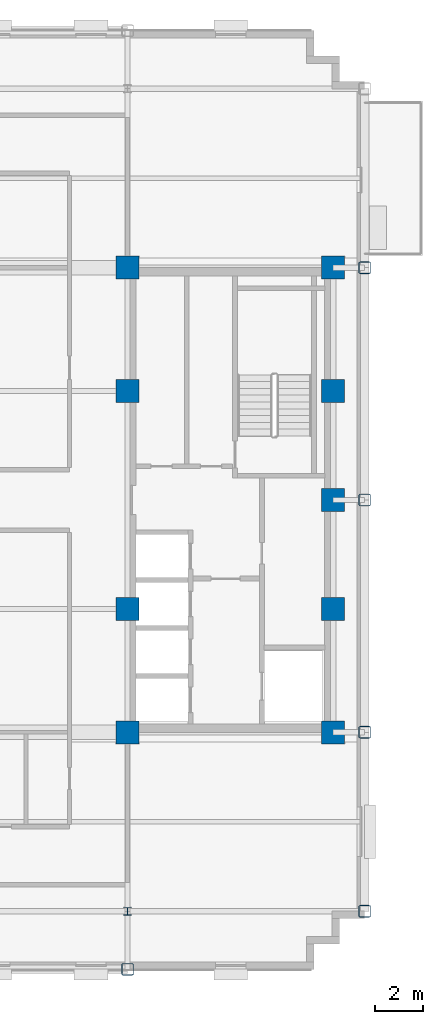
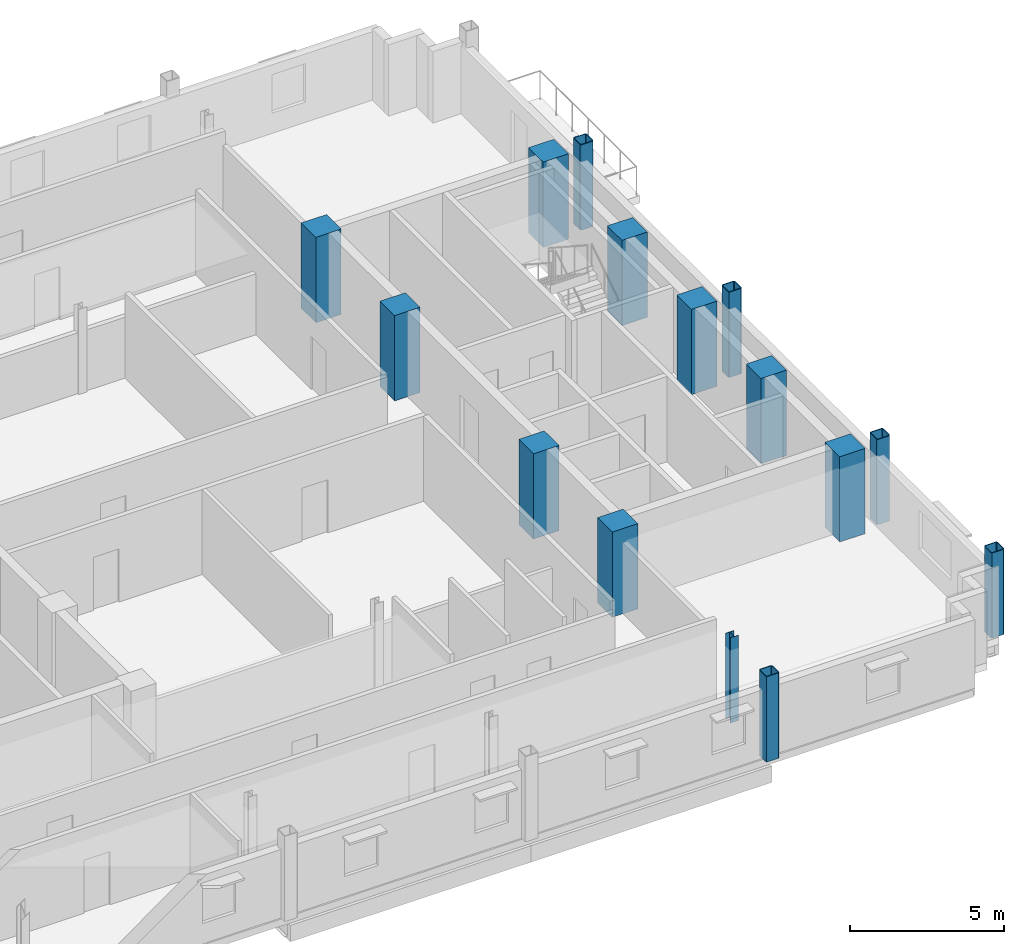
# One storey, part 2 of 13: 15 columns.
"""IFC4 building model written with IfcOpenShell, lengths in metres."""

from ifc_helpers import new_model, si_unit, direction, frame, origin, origin_2d, place, context, subcontext, project, spatial, rectangle, hollow_rectangle, i_section, extrude, material, material_profile, profile_set, type_object, element, save


model = new_model("IFC4")

# Units and contexts
model_context = context("Model", 3, precision=1e-05, world=origin(), true_north=direction((0.0, 1.0)))
body_context = subcontext(model_context, "Body", "Model", "MODEL_VIEW")
ifc_project = project(units=[si_unit("LENGTHUNIT", "METRE"), si_unit("AREAUNIT", "SQUARE_METRE"), si_unit("VOLUMEUNIT", "CUBIC_METRE"), si_unit("PLANEANGLEUNIT", "RADIAN"), si_unit("MASSUNIT", "GRAM", prefix="KILO")], contexts=[model_context])

# Site, building, storey
site_placement = place(None, origin())
site = spatial("IfcSite", under=ifc_project, at=site_placement, CompositionType="ELEMENT")
building_placement = place(site_placement, origin())
building = spatial("IfcBuilding", under=site, at=building_placement, Name="Nuvemarco Arch Tower", CompositionType="ELEMENT")
storey_placement = place(building_placement, frame((0.0, 0.0, 220.10009765625)))
storey = spatial("IfcBuildingStorey", under=building, at=storey_placement, Name="L58", CompositionType="ELEMENT", Elevation=220.10009765625)

# Columns
ifc_material_1 = material(Name="Concrete C50/60", Category="concrete")
ifc_material_profile_1 = material_profile(ifc_material_1, rectangle(XDim=0.949951171875, YDim=0.949951171875, at=origin_2d()), Name="RC-COL-950x950")
ifc_profile_set_1 = profile_set([ifc_material_profile_1], Name="Concrete C50/60")
column_type_1 = type_object("IfcColumnType", Name="COL-CORE-950", PredefinedType="COLUMN", material=ifc_profile_set_1)
for number, where, z_axis, x_axis, name in (
    (1, (9.0, -9.60009765625, 0.0), (0.0, 0.0, 1.0), (1.0, 0.0, 0.0), "L58 column CC_+9.0_-9.6"),
    (2, (9.0, -4.5, 0.0), (0.0, 0.0, 1.0), (1.0, 0.0, 0.0), "L58 column CC_+9.0_-4.5"),
    (3, (9.0, 4.5, 0.0), (0.0, 0.0, 1.0), (1.0, 0.0, 0.0), "L58 column CC_+9.0_+4.5"),
    (4, (9.0, 9.60009765625, 0.0), (0.0, 0.0, 1.0), (1.0, 0.0, 0.0), "L58 column CC_+9.0_+9.6"),
    (5, (17.5, -9.60009765625, 0.0), (0.0, 0.0, 1.0), (1.0, 0.0, 0.0), "L58 column CC_+17.5_-9.6"),
    (6, (17.5, -4.5, 0.0), (0.0, 0.0, 1.0), (1.0, 0.0, 0.0), "L58 column CC_+17.5_-4.5"),
    (7, (17.5, 4.5, 0.0), (0.0, 0.0, 1.0), (1.0, 0.0, 0.0), "L58 column CC_+17.5_+4.5"),
    (8, (17.5, 9.60009765625, 0.0), (0.0, 0.0, 1.0), (1.0, 0.0, 0.0), "L58 column CC_+17.5_+9.6"),
    (9, (17.5, 0.0, 0.0), (0.0, 0.0, 1.0), (1.0, 0.0, 0.0), "L58 column CC_+17.5_+0.0"),
):
    element("IfcColumn", number, at=place(storey_placement, frame(where, z_axis=z_axis, x_axis=x_axis)), inside=storey, type_object=column_type_1, Name=name, PredefinedType="COLUMN", context=body_context, shape_type="SweptSolid", body=[
        extrude(rectangle(XDim=0.949951171875, YDim=0.949951171875, at=origin_2d()), origin(), (0.0, 0.0, 1.0), 3.369873046875),
    ])
ifc_material_2 = material(Name="Steel S355", Category="steel")
ifc_material_profile_2 = material_profile(ifc_material_2, hollow_rectangle(XDim=0.5, YDim=0.5, WallThickness=0.031982421875, InnerFilletRadius=0.031982421875, OuterFilletRadius=0.06396484375, at=origin_2d()), Name="SHS500x500x32")
ifc_profile_set_2 = profile_set([ifc_material_profile_2], Name="Steel S355")
column_type_2 = type_object("IfcColumnType", Name="COL-EXO-500", PredefinedType="COLUMN", material=ifc_profile_set_2)
for number, where, z_axis, x_axis, name in (
    (10, (18.800048828125, -17.0, 0.0), (0.0, 0.0, 1.0), (1.0, 0.0, 0.0), "L58 column CX_+18.8_-17.0"),
    (11, (18.800048828125, -9.60009765625, 0.0), (0.0, 0.0, 1.0), (1.0, 0.0, 0.0), "L58 column CX_+18.8_-9.6"),
    (12, (18.800048828125, 0.0, 0.0), (0.0, 0.0, 1.0), (1.0, 0.0, 0.0), "L58 column CX_+18.8_+0.0"),
    (13, (18.800048828125, 9.60009765625, 0.0), (0.0, 0.0, 1.0), (1.0, 0.0, 0.0), "L58 column CX_+18.8_+9.6"),
    (14, (9.0, -19.39990234375, 0.0), (0.0, 0.0, 1.0), (1.0, 0.0, 0.0), "L58 column CY_+9.0_-19.4"),
):
    element("IfcColumn", number, at=place(storey_placement, frame(where, z_axis=z_axis, x_axis=x_axis)), inside=storey, type_object=column_type_2, Name=name, PredefinedType="COLUMN", context=body_context, shape_type="SweptSolid", body=[
        extrude(hollow_rectangle(XDim=0.5, YDim=0.5, WallThickness=0.031982421875, InnerFilletRadius=0.031982421875, OuterFilletRadius=0.06396484375, at=origin_2d()), origin(), (0.0, 0.0, 1.0), 3.369873046875),
    ])
ifc_material_profile_3 = material_profile(ifc_material_2, i_section(OverallWidth=0.31005859375, OverallDepth=0.31005859375, WebThickness=0.015380859375, FlangeThickness=0.015380859375, FilletRadius=0.014892578125, at=origin_2d()), Name="HP310x110")
ifc_profile_set_3 = profile_set([ifc_material_profile_3], Name="Steel S355")
column_type_3 = type_object("IfcColumnType", Name="COL-STL-HP310", PredefinedType="COLUMN", material=ifc_profile_set_3)
column_placement = place(storey_placement, frame((9.0, -17.0, 0.0), z_axis=(0.0, 0.0, 1.0), x_axis=(1.0, 0.0, 0.0)))
element("IfcColumn", 15, at=column_placement, inside=storey, type_object=column_type_3, Name="L58 column CI_+9.0_-17.0", PredefinedType="COLUMN", context=body_context, shape_type="SweptSolid", body=[
    extrude(i_section(OverallWidth=0.31005859375, OverallDepth=0.31005859375, WebThickness=0.015380859375, FlangeThickness=0.015380859375, FilletRadius=0.014892578125, at=origin_2d()), origin(), (0.0, 0.0, 1.0), 3.369873046875),
])

save(model, "model.ifc")
